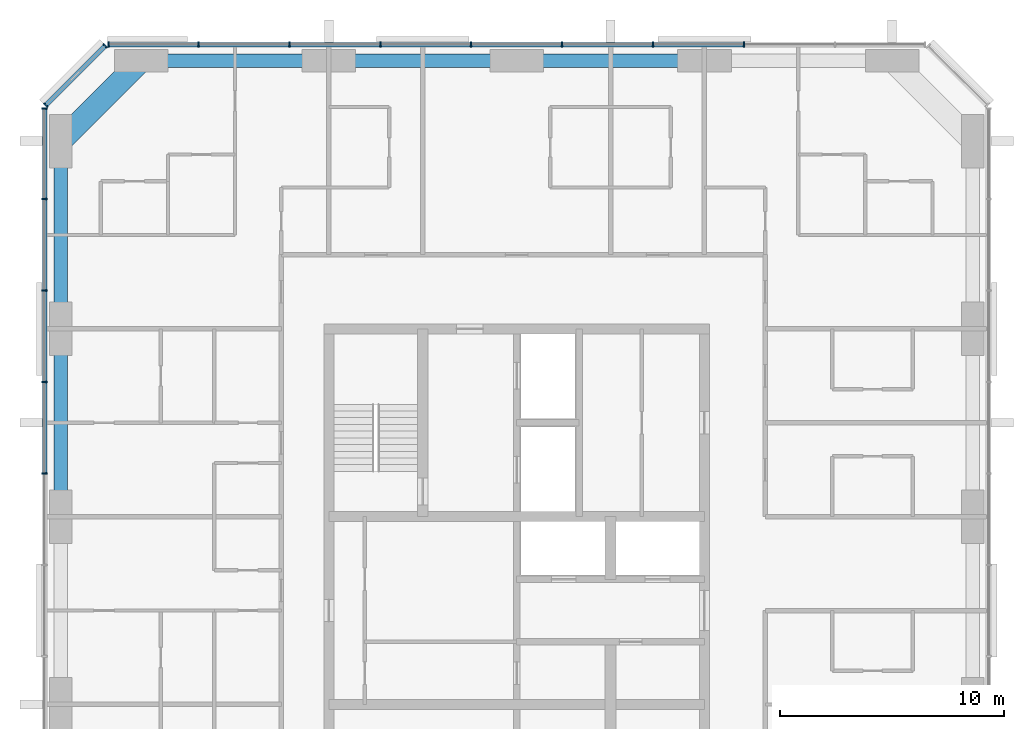
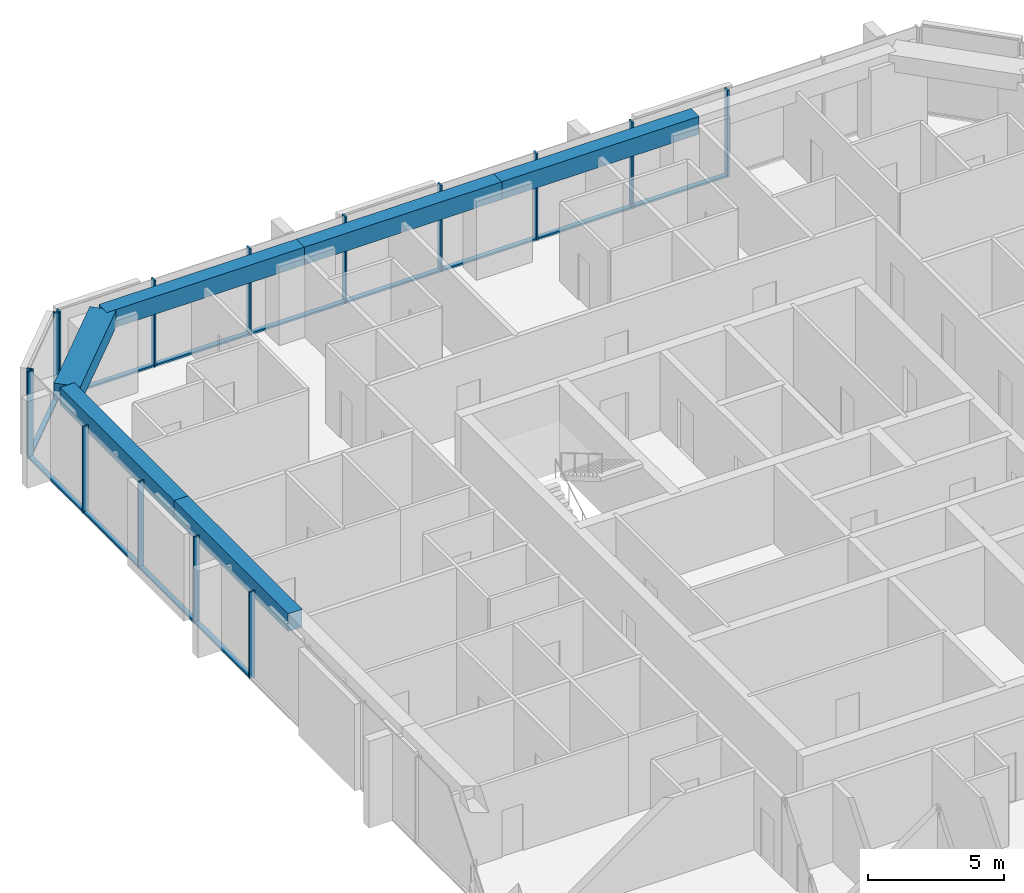
# One storey, part 4 of 12: 27 members, 6 beams, 3 elements without a shape of their own.
"""IFC4 building model written with IfcOpenShell, lengths in metres."""

from ifc_helpers import new_model, si_unit, direction, frame, origin, origin_2d, place, context, subcontext, project, spatial, rectangle, extrude, material, material_profile, profile_set, type_object, element, aggregate, save


model = new_model("IFC4")

# Units and contexts
model_context = context("Model", 3, precision=1e-05, world=origin(), true_north=direction((0.0, 1.0)))
body_context = subcontext(model_context, "Body", "Model", "MODEL_VIEW")
ifc_project = project(units=[si_unit("LENGTHUNIT", "METRE"), si_unit("AREAUNIT", "SQUARE_METRE"), si_unit("VOLUMEUNIT", "CUBIC_METRE"), si_unit("PLANEANGLEUNIT", "RADIAN"), si_unit("MASSUNIT", "GRAM", prefix="KILO")], contexts=[model_context])

# Site, building, storey
site_placement = place(None, origin())
site = spatial("IfcSite", under=ifc_project, at=site_placement, CompositionType="ELEMENT")
building_placement = place(site_placement, origin())
building = spatial("IfcBuilding", under=site, at=building_placement, Name="Dunama Terrace Hotel", CompositionType="ELEMENT")
storey_placement = place(building_placement, frame((0.0, 0.0, 256.800048828125)))
storey = spatial("IfcBuildingStorey", under=building, at=storey_placement, Name="L66", CompositionType="ELEMENT", Elevation=256.800048828125)

# Curtain wall, members
ifc_material_1 = material(Name="Aluminium curtain wall system", Category="aluminium")
curtain_wall_type = type_object("IfcCurtainWallType", Name="Unitised fritted glass wall CW-D", PredefinedType="NOTDEFINED", material=ifc_material_1)
curtain_wall_1_placement = place(storey_placement, origin())
curtain_wall_1 = element("IfcCurtainWall", 1, at=curtain_wall_1_placement, inside=storey, type_object=curtain_wall_type, Name="Unitised fritted glass wall CW-D L66", PredefinedType="NOTDEFINED")
ifc_material_2 = material(Name="Aluminium mullion", Category="aluminium")
ifc_material_profile_1 = material_profile(ifc_material_2, rectangle(XDim=0.070068359375, YDim=0.239990234375, at=origin_2d()), Name="CWD MULLION 70X240")
ifc_profile_set_1 = profile_set([ifc_material_profile_1], Name="Aluminium mullion")
member_type_1 = type_object("IfcMemberType", Name="CWD mullion 70x240", PredefinedType="MULLION", material=ifc_profile_set_1)
member_1_placement = place(storey_placement, frame((43.76708984375, 54.719970703125, 0.0), z_axis=(0.0, 0.0, 1.0), x_axis=(-1.0, 0.0, 0.0)))
member_1 = element("IfcMember", 2, at=member_1_placement, type_object=member_type_1, Name="CWD mullion", PredefinedType="MULLION", context=body_context, shape_type="SweptSolid", body=[
    extrude(rectangle(XDim=0.070068359375, YDim=0.239990234375, at=origin_2d()), origin(), (0.0, 0.0, 1.0), 3.89990234375),
])
member_2_placement = place(storey_placement, frame((39.699951171875, 54.719970703125, 0.0), z_axis=(0.0, 0.0, 1.0), x_axis=(-1.0, 0.0, 0.0)))
member_2 = element("IfcMember", 3, at=member_2_placement, type_object=member_type_1, Name="CWD mullion", PredefinedType="MULLION", context=body_context, shape_type="SweptSolid", body=[
    extrude(rectangle(XDim=0.070068359375, YDim=0.239990234375, at=origin_2d()), origin(), (0.0, 0.0, 1.0), 3.89990234375),
])
member_3_placement = place(storey_placement, frame((35.633056640625, 54.719970703125, 0.0), z_axis=(0.0, 0.0, 1.0), x_axis=(-1.0, 0.0, 0.0)))
member_3 = element("IfcMember", 4, at=member_3_placement, type_object=member_type_1, Name="CWD mullion", PredefinedType="MULLION", context=body_context, shape_type="SweptSolid", body=[
    extrude(rectangle(XDim=0.070068359375, YDim=0.239990234375, at=origin_2d()), origin(), (0.0, 0.0, 1.0), 3.89990234375),
])
member_4_placement = place(storey_placement, frame((31.56689453125, 54.719970703125, 0.0), z_axis=(0.0, 0.0, 1.0), x_axis=(-1.0, 0.0, 0.0)))
member_4 = element("IfcMember", 5, at=member_4_placement, type_object=member_type_1, Name="CWD mullion", PredefinedType="MULLION", context=body_context, shape_type="SweptSolid", body=[
    extrude(rectangle(XDim=0.070068359375, YDim=0.239990234375, at=origin_2d()), origin(), (0.0, 0.0, 1.0), 3.89990234375),
])
member_5_placement = place(storey_placement, frame((27.5, 54.719970703125, 0.0), z_axis=(0.0, 0.0, 1.0), x_axis=(-1.0, 0.0, 0.0)))
member_5 = element("IfcMember", 6, at=member_5_placement, type_object=member_type_1, Name="CWD mullion", PredefinedType="MULLION", context=body_context, shape_type="SweptSolid", body=[
    extrude(rectangle(XDim=0.070068359375, YDim=0.239990234375, at=origin_2d()), origin(), (0.0, 0.0, 1.0), 3.89990234375),
])
member_6_placement = place(storey_placement, frame((23.43310546875, 54.719970703125, 0.0), z_axis=(0.0, 0.0, 1.0), x_axis=(-1.0, 0.0, 0.0)))
member_6 = element("IfcMember", 7, at=member_6_placement, type_object=member_type_1, Name="CWD mullion", PredefinedType="MULLION", context=body_context, shape_type="SweptSolid", body=[
    extrude(rectangle(XDim=0.070068359375, YDim=0.239990234375, at=origin_2d()), origin(), (0.0, 0.0, 1.0), 3.89990234375),
])
member_7_placement = place(storey_placement, frame((19.366943359375, 54.719970703125, 0.0), z_axis=(0.0, 0.0, 1.0), x_axis=(-1.0, 0.0, 0.0)))
member_7 = element("IfcMember", 8, at=member_7_placement, type_object=member_type_1, Name="CWD mullion", PredefinedType="MULLION", context=body_context, shape_type="SweptSolid", body=[
    extrude(rectangle(XDim=0.070068359375, YDim=0.239990234375, at=origin_2d()), origin(), (0.0, 0.0, 1.0), 3.89990234375),
])
member_8_placement = place(storey_placement, frame((15.3349609375, 54.719970703125, 0.0), z_axis=(0.0, 0.0, 1.0), x_axis=(-1.0, 0.0, 0.0)))
member_8 = element("IfcMember", 9, at=member_8_placement, type_object=member_type_1, Name="CWD mullion", PredefinedType="MULLION", context=body_context, shape_type="SweptSolid", body=[
    extrude(rectangle(XDim=0.070068359375, YDim=0.239990234375, at=origin_2d()), origin(), (0.0, 0.0, 1.0), 3.89990234375),
])

curtain_wall_2_placement = place(storey_placement, origin())
curtain_wall_2 = element("IfcCurtainWall", 10, at=curtain_wall_2_placement, inside=storey, type_object=curtain_wall_type, Name="Unitised fritted glass wall CW-D L66", PredefinedType="NOTDEFINED")
member_9_placement = place(storey_placement, frame((15.18994140625, 54.659912109375, 0.0), z_axis=(0.0, 0.0, 1.0), x_axis=(-0.707106781187, -0.707106781187, 0.0)))
member_9 = element("IfcMember", 11, at=member_9_placement, type_object=member_type_1, Name="CWD mullion", PredefinedType="MULLION", context=body_context, shape_type="SweptSolid", body=[
    extrude(rectangle(XDim=0.070068359375, YDim=0.239990234375, at=origin_2d()), origin(), (0.0, 0.0, 1.0), 3.89990234375),
])
member_10_placement = place(storey_placement, frame((12.5400390625, 52.010009765625, 0.0), z_axis=(0.0, 0.0, 1.0), x_axis=(-0.707106781187, -0.707106781187, 0.0)))
member_10 = element("IfcMember", 12, at=member_10_placement, type_object=member_type_1, Name="CWD mullion", PredefinedType="MULLION", context=body_context, shape_type="SweptSolid", body=[
    extrude(rectangle(XDim=0.070068359375, YDim=0.239990234375, at=origin_2d()), origin(), (0.0, 0.0, 1.0), 3.89990234375),
])

curtain_wall_3_placement = place(storey_placement, origin())
curtain_wall_3 = element("IfcCurtainWall", 13, at=curtain_wall_3_placement, inside=storey, type_object=curtain_wall_type, Name="Unitised fritted glass wall CW-D L66", PredefinedType="NOTDEFINED")
member_11_placement = place(storey_placement, frame((12.47998046875, 51.864990234375, 0.0), z_axis=(0.0, 0.0, 1.0), x_axis=(0.0, -1.0, 0.0)))
member_11 = element("IfcMember", 14, at=member_11_placement, type_object=member_type_1, Name="CWD mullion", PredefinedType="MULLION", context=body_context, shape_type="SweptSolid", body=[
    extrude(rectangle(XDim=0.070068359375, YDim=0.239990234375, at=origin_2d()), origin(), (0.0, 0.0, 1.0), 3.89990234375),
])
member_12_placement = place(storey_placement, frame((12.47998046875, 47.80908203125, 0.0), z_axis=(0.0, 0.0, 1.0), x_axis=(0.0, -1.0, 0.0)))
member_12 = element("IfcMember", 15, at=member_12_placement, type_object=member_type_1, Name="CWD mullion", PredefinedType="MULLION", context=body_context, shape_type="SweptSolid", body=[
    extrude(rectangle(XDim=0.070068359375, YDim=0.239990234375, at=origin_2d()), origin(), (0.0, 0.0, 1.0), 3.89990234375),
])
member_13_placement = place(storey_placement, frame((12.47998046875, 43.718017578125, 0.0), z_axis=(0.0, 0.0, 1.0), x_axis=(0.0, -1.0, 0.0)))
member_13 = element("IfcMember", 16, at=member_13_placement, type_object=member_type_1, Name="CWD mullion", PredefinedType="MULLION", context=body_context, shape_type="SweptSolid", body=[
    extrude(rectangle(XDim=0.070068359375, YDim=0.239990234375, at=origin_2d()), origin(), (0.0, 0.0, 1.0), 3.89990234375),
])
member_14_placement = place(storey_placement, frame((12.47998046875, 39.626953125, 0.0), z_axis=(0.0, 0.0, 1.0), x_axis=(0.0, -1.0, 0.0)))
member_14 = element("IfcMember", 17, at=member_14_placement, type_object=member_type_1, Name="CWD mullion", PredefinedType="MULLION", context=body_context, shape_type="SweptSolid", body=[
    extrude(rectangle(XDim=0.070068359375, YDim=0.239990234375, at=origin_2d()), origin(), (0.0, 0.0, 1.0), 3.89990234375),
])
member_15_placement = place(storey_placement, frame((12.47998046875, 35.535888671875, 0.0), z_axis=(0.0, 0.0, 1.0), x_axis=(0.0, -1.0, 0.0)))
member_15 = element("IfcMember", 18, at=member_15_placement, type_object=member_type_1, Name="CWD mullion", PredefinedType="MULLION", context=body_context, shape_type="SweptSolid", body=[
    extrude(rectangle(XDim=0.070068359375, YDim=0.239990234375, at=origin_2d()), origin(), (0.0, 0.0, 1.0), 3.89990234375),
])

# Member
ifc_material_3 = material(Name="Aluminium transom", Category="aluminium")
ifc_material_profile_2 = material_profile(ifc_material_3, rectangle(XDim=0.199951171875, YDim=0.0849609375, at=origin_2d()), Name="CWD TRANSOM 200X85")
ifc_profile_set_2 = profile_set([ifc_material_profile_2], Name="Aluminium transom")
member_type_2 = type_object("IfcMemberType", Name="CWD transom 200x85", PredefinedType="USERDEFINED", material=ifc_profile_set_2)
member_16_placement = place(storey_placement, frame((43.73193359375, 54.719970703125, 0.04248046875), z_axis=(-1.0, 0.0, 0.0), x_axis=(0.0, -1.0, 0.0)))
member_16 = element("IfcMember", 19, at=member_16_placement, type_object=member_type_2, Name="CWD transom", ObjectType="TRANSOM", PredefinedType="USERDEFINED", context=body_context, shape_type="SweptSolid", body=[
    extrude(rectangle(XDim=0.199951171875, YDim=0.0849609375, at=origin_2d()), origin(), (0.0, 0.0, 1.0), 3.996826171875),
])

member_17_placement = place(storey_placement, frame((39.6650390625, 54.719970703125, 0.04248046875), z_axis=(-1.0, 0.0, 0.0), x_axis=(0.0, -1.0, 0.0)))
member_17 = element("IfcMember", 20, at=member_17_placement, type_object=member_type_2, Name="CWD transom", ObjectType="TRANSOM", PredefinedType="USERDEFINED", context=body_context, shape_type="SweptSolid", body=[
    extrude(rectangle(XDim=0.199951171875, YDim=0.0849609375, at=origin_2d()), origin(), (0.0, 0.0, 1.0), 3.9970703125),
])

member_18_placement = place(storey_placement, frame((35.597900390625, 54.719970703125, 0.04248046875), z_axis=(-1.0, 0.0, 0.0), x_axis=(0.0, -1.0, 0.0)))
member_18 = element("IfcMember", 21, at=member_18_placement, type_object=member_type_2, Name="CWD transom", ObjectType="TRANSOM", PredefinedType="USERDEFINED", context=body_context, shape_type="SweptSolid", body=[
    extrude(rectangle(XDim=0.199951171875, YDim=0.0849609375, at=origin_2d()), origin(), (0.0, 0.0, 1.0), 3.995849609375),
])

member_19_placement = place(storey_placement, frame((31.531982421875, 54.719970703125, 0.04248046875), z_axis=(-1.0, 0.0, 0.0), x_axis=(0.0, -1.0, 0.0)))
member_19 = element("IfcMember", 22, at=member_19_placement, type_object=member_type_2, Name="CWD transom", ObjectType="TRANSOM", PredefinedType="USERDEFINED", context=body_context, shape_type="SweptSolid", body=[
    extrude(rectangle(XDim=0.199951171875, YDim=0.0849609375, at=origin_2d()), origin(), (0.0, 0.0, 1.0), 3.9970703125),
])

member_20_placement = place(storey_placement, frame((27.465087890625, 54.719970703125, 0.04248046875), z_axis=(-1.0, 0.0, 0.0), x_axis=(0.0, -1.0, 0.0)))
member_20 = element("IfcMember", 23, at=member_20_placement, type_object=member_type_2, Name="CWD transom", ObjectType="TRANSOM", PredefinedType="USERDEFINED", context=body_context, shape_type="SweptSolid", body=[
    extrude(rectangle(XDim=0.199951171875, YDim=0.0849609375, at=origin_2d()), origin(), (0.0, 0.0, 1.0), 3.9970703125),
])

member_21_placement = place(storey_placement, frame((23.39794921875, 54.719970703125, 0.04248046875), z_axis=(-1.0, 0.0, 0.0), x_axis=(0.0, -1.0, 0.0)))
member_21 = element("IfcMember", 24, at=member_21_placement, type_object=member_type_2, Name="CWD transom", ObjectType="TRANSOM", PredefinedType="USERDEFINED", context=body_context, shape_type="SweptSolid", body=[
    extrude(rectangle(XDim=0.199951171875, YDim=0.0849609375, at=origin_2d()), origin(), (0.0, 0.0, 1.0), 3.995849609375),
])

member_22_placement = place(storey_placement, frame((19.33203125, 54.719970703125, 0.04248046875), z_axis=(-1.0, 0.0, 0.0), x_axis=(0.0, -1.0, 0.0)))
member_22 = element("IfcMember", 25, at=member_22_placement, type_object=member_type_2, Name="CWD transom", ObjectType="TRANSOM", PredefinedType="USERDEFINED", context=body_context, shape_type="SweptSolid", body=[
    extrude(rectangle(XDim=0.199951171875, YDim=0.0849609375, at=origin_2d()), origin(), (0.0, 0.0, 1.0), 3.9619140625),
])

aggregate(curtain_wall_1, [member_1, member_2, member_3, member_4, member_5, member_6, member_7, member_8, member_16, member_17, member_18, member_19, member_20, member_21, member_22])

member_23_placement = place(storey_placement, frame((15.166015625, 54.635009765625, 0.04248046875), z_axis=(-0.707106781187, -0.707106781187, 0.0), x_axis=(0.707106781187, -0.707106781187, 0.0)))
member_23 = element("IfcMember", 26, at=member_23_placement, type_object=member_type_2, Name="CWD transom", ObjectType="TRANSOM", PredefinedType="USERDEFINED", context=body_context, shape_type="SweptSolid", body=[
    extrude(rectangle(XDim=0.199951171875, YDim=0.0849609375, at=origin_2d()), origin(), (0.0, 0.0, 1.0), 3.678466796875),
])

aggregate(curtain_wall_2, [member_9, member_10, member_23])

member_24_placement = place(storey_placement, frame((12.47998046875, 51.830078125, 0.04248046875), z_axis=(0.0, -1.0, 0.0), x_axis=(1.0, 0.0, 0.0)))
member_24 = element("IfcMember", 27, at=member_24_placement, type_object=member_type_2, Name="CWD transom", ObjectType="TRANSOM", PredefinedType="USERDEFINED", context=body_context, shape_type="SweptSolid", body=[
    extrude(rectangle(XDim=0.199951171875, YDim=0.0849609375, at=origin_2d()), origin(), (0.0, 0.0, 1.0), 3.986083984375),
])

member_25_placement = place(storey_placement, frame((12.47998046875, 47.77392578125, 0.04248046875), z_axis=(0.0, -1.0, 0.0), x_axis=(1.0, 0.0, 0.0)))
member_25 = element("IfcMember", 28, at=member_25_placement, type_object=member_type_2, Name="CWD transom", ObjectType="TRANSOM", PredefinedType="USERDEFINED", context=body_context, shape_type="SweptSolid", body=[
    extrude(rectangle(XDim=0.199951171875, YDim=0.0849609375, at=origin_2d()), origin(), (0.0, 0.0, 1.0), 4.02099609375),
])

member_26_placement = place(storey_placement, frame((12.47998046875, 43.68310546875, 0.04248046875), z_axis=(0.0, -1.0, 0.0), x_axis=(1.0, 0.0, 0.0)))
member_26 = element("IfcMember", 29, at=member_26_placement, type_object=member_type_2, Name="CWD transom", ObjectType="TRANSOM", PredefinedType="USERDEFINED", context=body_context, shape_type="SweptSolid", body=[
    extrude(rectangle(XDim=0.199951171875, YDim=0.0849609375, at=origin_2d()), origin(), (0.0, 0.0, 1.0), 4.02099609375),
])

member_27_placement = place(storey_placement, frame((12.47998046875, 39.592041015625, 0.04248046875), z_axis=(0.0, -1.0, 0.0), x_axis=(1.0, 0.0, 0.0)))
member_27 = element("IfcMember", 30, at=member_27_placement, type_object=member_type_2, Name="CWD transom", ObjectType="TRANSOM", PredefinedType="USERDEFINED", context=body_context, shape_type="SweptSolid", body=[
    extrude(rectangle(XDim=0.199951171875, YDim=0.0849609375, at=origin_2d()), origin(), (0.0, 0.0, 1.0), 4.02099609375),
])

aggregate(curtain_wall_3, [member_11, member_12, member_13, member_14, member_15, member_24, member_25, member_26, member_27])

# Beams
ifc_material_4 = material(Name="Concrete C50/60", Category="concrete")
ifc_material_profile_3 = material_profile(ifc_material_4, rectangle(XDim=1.0, YDim=0.75, at=origin_2d()), Name="RC 1000x750")
ifc_profile_set_3 = profile_set([ifc_material_profile_3], Name="Concrete C50/60")
beam_type_1 = type_object("IfcBeamType", Name="Edge beam RC 1000x750", PredefinedType="SPANDREL", material=ifc_profile_set_3)
beam_1_placement = place(storey_placement, frame((16.800048828125, 54.0, 3.52490234375), z_axis=(-0.707106781187, -0.707106781187, 0.0), x_axis=(0.707106781187, -0.707106781187, 0.0)))
element("IfcBeam", 31, at=beam_1_placement, inside=storey, type_object=beam_type_1, Name="Corner edge beam under L67", PredefinedType="SPANDREL", context=body_context, shape_type="SweptSolid", body=[
    extrude(rectangle(XDim=1.0, YDim=0.75, at=origin_2d()), origin(), (0.0, 0.0, 1.0), 5.09130859375),
])
ifc_material_5 = material(Name="Concrete C40/50", Category="concrete")
ifc_material_profile_4 = material_profile(ifc_material_5, rectangle(XDim=0.60009765625, YDim=0.800048828125, at=origin_2d()), Name="RC 600x800")
ifc_profile_set_4 = profile_set([ifc_material_profile_4], Name="Concrete C40/50")
beam_type_2 = type_object("IfcBeamType", Name="Edge beam RC 600x800", PredefinedType="SPANDREL", material=ifc_profile_set_4)
for number, where, z_axis, x_axis, name in (
    (32, (13.199951171875, 33.60009765625, 3.5), (0.0, 1.0, 0.0), (-1.0, 0.0, 0.0), "Edge beam under L67"),
    (33, (13.199951171875, 42.0, 3.5), (0.0, 1.0, 0.0), (-1.0, 0.0, 0.0), "Edge beam under L67"),
    (34, (16.800048828125, 54.0, 3.5), (1.0, 0.0, 0.0), (0.0, 1.0, 0.0), "Edge beam under L67"),
):
    element("IfcBeam", number, at=place(storey_placement, frame(where, z_axis=z_axis, x_axis=x_axis)), inside=storey, type_object=beam_type_2, Name=name, PredefinedType="SPANDREL", context=body_context, shape_type="SweptSolid", body=[
        extrude(rectangle(XDim=0.60009765625, YDim=0.800048828125, at=origin_2d()), origin(), (0.0, 0.0, 1.0), 8.39990234375),
    ])
beam_2_placement = place(storey_placement, frame((25.199951171875, 54.0, 3.5), z_axis=(1.0, 0.0, 0.0), x_axis=(0.0, 1.0, 0.0)))
element("IfcBeam", 35, at=beam_2_placement, inside=storey, type_object=beam_type_2, Name="Edge beam under L67", PredefinedType="SPANDREL", context=body_context, shape_type="SweptSolid", body=[
    extrude(rectangle(XDim=0.60009765625, YDim=0.800048828125, at=origin_2d()), origin(), (0.0, 0.0, 1.0), 8.400146484375),
])
beam_3_placement = place(storey_placement, frame((33.60009765625, 54.0, 3.5), z_axis=(1.0, 0.0, 0.0), x_axis=(0.0, 1.0, 0.0)))
element("IfcBeam", 36, at=beam_3_placement, inside=storey, type_object=beam_type_2, Name="Edge beam under L67", PredefinedType="SPANDREL", context=body_context, shape_type="SweptSolid", body=[
    extrude(rectangle(XDim=0.60009765625, YDim=0.800048828125, at=origin_2d()), origin(), (0.0, 0.0, 1.0), 8.39990234375),
])

save(model, "model.ifc")
